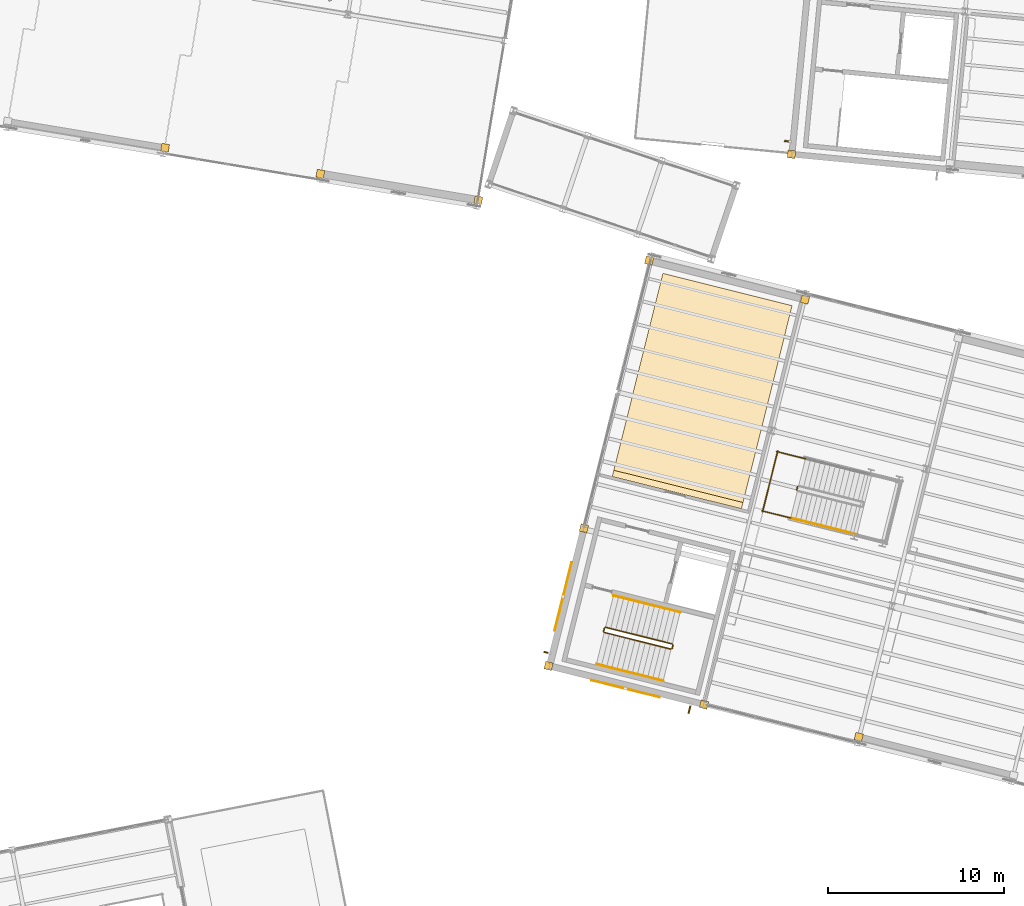
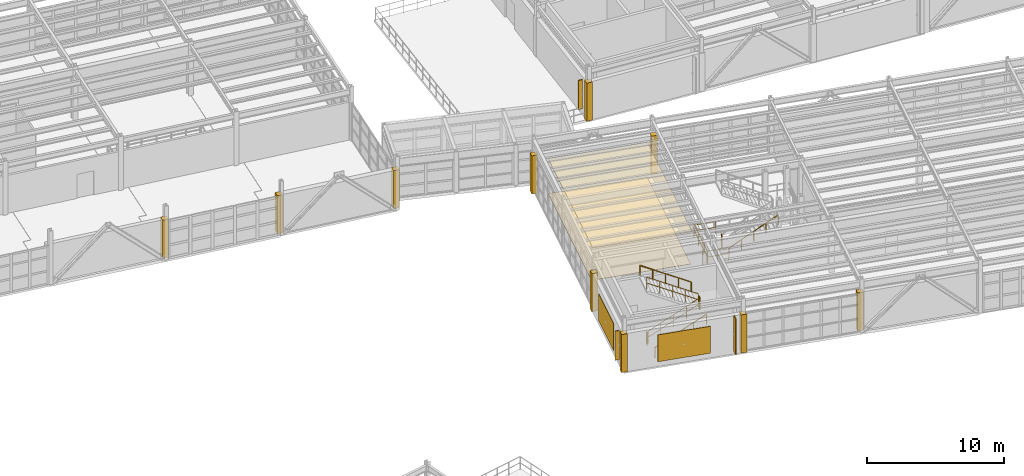
# One storey, part 97 of 102: 14 coverings, 11 railings, 3 shading devices.
"""IFC4 building model written with IfcOpenShell, lengths in metres."""

from ifc_helpers import new_model, si_unit, direction, frame, origin, origin_2d, place, context, subcontext, project, spatial, polyline, rectangle, circle, outline, extrude, material, layer, layer_set, type_object, element, save


model = new_model("IFC4")

# Units and contexts
model_context = context("Model", 3, precision=1e-05, world=origin(), true_north=direction((0.0, 1.0)))
body_context = subcontext(model_context, "Body", "Model", "MODEL_VIEW")
ifc_project = project(units=[si_unit("LENGTHUNIT", "METRE"), si_unit("AREAUNIT", "SQUARE_METRE"), si_unit("VOLUMEUNIT", "CUBIC_METRE"), si_unit("PLANEANGLEUNIT", "RADIAN"), si_unit("MASSUNIT", "GRAM", prefix="KILO")], contexts=[model_context])

# Site, building, storey
site_placement = place(None, origin())
site = spatial("IfcSite", under=ifc_project, at=site_placement, CompositionType="ELEMENT")
building_placement = place(site_placement, origin())
building = spatial("IfcBuilding", under=site, at=building_placement, Name="Vireo Bluff Cable Station", CompositionType="ELEMENT")
storey_placement = place(building_placement, frame((0.0, 0.0, 9.60009765625)))
storey = spatial("IfcBuildingStorey", under=building, at=storey_placement, Name="L02", CompositionType="ELEMENT", Elevation=9.60009765625)

# Coverings
ifc_material_1 = material(Name="Perforated Acoustic Metal Ceiling")
ifc_layer_1 = layer(ifc_material_1, 0.034912109375, Name="Perforated Acoustic Metal Ceiling")
ifc_layer_set_1 = layer_set([ifc_layer_1], Name="Perforated Acoustic Metal Ceiling")
covering_type_1 = type_object("IfcCoveringType", Name="CEILING-ACOUSTIC-35", PredefinedType="CEILING", material=ifc_layer_set_1)
covering_1_placement = place(storey_placement, frame((0.0, 0.0, 3.119873046875)))
element("IfcCovering", 1, at=covering_1_placement, inside=storey, type_object=covering_type_1, Name="V1 L02 First Aid and Mountain Rescue Station acoustic ceiling", PredefinedType="CEILING", context=body_context, shape_type="SweptSolid", body=[
    extrude(outline(polyline([(57.55419921875, 48.74169921875), (64.8798828125, 46.915283203125), (67.7509765625, 58.43017578125), (60.42529296875, 60.256591796875), (57.55419921875, 48.74169921875)])), origin(), (0.0, 0.0, 1.0), 0.034912109375),
])
ifc_material_2 = material(Name="Standing-Seam Titanium-Zinc Cladding")
ifc_layer_2 = layer(ifc_material_2, 0.0400390625, Name="Standing-Seam Titanium-Zinc Cladding")
ifc_layer_set_2 = layer_set([ifc_layer_2], Name="Standing-Seam Titanium-Zinc Cladding")
covering_type_2 = type_object("IfcCoveringType", Name="CLADDING-ZINC-40", PredefinedType="CLADDING", material=ifc_layer_set_2)
covering_2_placement = place(storey_placement, frame((54.771240234375, 41.94091796875, 0.449951171875), z_axis=(0.0, 0.0, 1.0), x_axis=(0.241921938225, 0.970295715648, 0.0)))
element("IfcCovering", 2, at=covering_2_placement, inside=storey, type_object=covering_type_2, Name="V1 L02 ribbed zinc cladding panel 6", PredefinedType="CLADDING", context=body_context, shape_type="SweptSolid", body=[
    extrude(rectangle(XDim=4.0, YDim=0.0400390625, at=origin_2d()), origin(), (0.0, 0.0, 1.0), 2.39990234375),
])
ifc_layer_3 = layer(ifc_material_2, 0.050048828125, Name="Standing-Seam Titanium-Zinc Cladding")
ifc_layer_set_3 = layer_set([ifc_layer_3], Name="Standing-Seam Titanium-Zinc Cladding")
covering_type_3 = type_object("IfcCoveringType", Name="CLADDING-ZINC-50", PredefinedType="CLADDING", material=ifc_layer_set_3)
covering_3_placement = place(storey_placement, frame((58.303466796875, 36.7158203125, 0.449951171875), z_axis=(0.0, 0.0, 1.0), x_axis=(-0.970295735236, 0.241921859664, 0.0)))
element("IfcCovering", 3, at=covering_3_placement, inside=storey, type_object=covering_type_3, Name="V1 L02 ribbed zinc cladding panel 5", PredefinedType="CLADDING", context=body_context, shape_type="SweptSolid", body=[
    extrude(rectangle(XDim=4.0, YDim=0.050048828125, at=origin_2d()), origin(), (0.0, 0.0, 1.0), 2.39990234375),
])
ifc_material_3 = material(Name="Precast concrete f'c 45 MPa", Category="concrete")
ifc_layer_4 = layer(ifc_material_3, 0.0400390625, Name="Precast concrete f'c 45 MPa")
ifc_layer_set_4 = layer_set([ifc_layer_4], Name="Precast concrete f'c 45 MPa")
covering_type_4 = type_object("IfcCoveringType", Name="COL-CLOSURE-WRAP", PredefinedType="CLADDING", material=ifc_layer_set_4)
for number, where, z_axis, x_axis, name in (
    (4, (71.524658203125, 33.98095703125, 0.0), (0.0, 0.0, 1.0), (0.970295726276, -0.2419218956, 0.0), "V1 L02 column pocket closure"),
    (5, (62.75537109375, 35.817138671875, 0.0), (0.0, 0.0, 1.0), (0.970295726276, -0.2419218956, 0.0), "V1 L02 column pocket closure"),
    (6, (53.950439453125, 38.012451171875, 0.0), (0.0, 0.0, 1.0), (0.970295726276, -0.2419218956, 0.0), "V1 L02 column pocket closure"),
    (7, (55.946533203125, 45.806884765625, 0.0), (0.0, 0.0, 1.0), (0.970295726276, -0.2419218956, 0.0), "V1 L02 column pocket closure"),
    (8, (59.650146484375, 60.9755859375, 0.0), (0.0, 0.0, 1.0), (0.970295726276, -0.2419218956, 0.0), "V1 L02 column pocket closure"),
    (9, (68.477294921875, 58.774658203125, 0.0), (0.0, 0.0, 1.0), (0.970295726276, -0.2419218956, 0.0), "V1 L02 column pocket closure"),
    (10, (67.714599609375, 67.006103515625, 0.0), (0.0, 0.0, 1.0), (0.995396198367, -0.09584575252, 0.0), "V3 L02 column pocket closure"),
    (11, (49.960205078125, 64.404541015625, 0.0), (0.0, 0.0, 1.0), (0.986285601537, -0.165047605861, 0.0), "V4 L02 column pocket closure"),
    (12, (41.013671875, 65.90185546875, 0.0), (0.0, 0.0, 1.0), (0.986285601537, -0.165047605861, 0.0), "V4 L02 column pocket closure"),
    (13, (32.208984375, 67.375244140625, 0.0), (0.0, 0.0, 1.0), (0.986285601537, -0.165047605861, 0.0), "V4 L02 column pocket closure"),
):
    element("IfcCovering", number, at=place(storey_placement, frame(where, z_axis=z_axis, x_axis=x_axis)), inside=storey, type_object=covering_type_4, Name=name, PredefinedType="CLADDING", context=body_context, shape_type="SweptSolid", body=[
        extrude(rectangle(XDim=0.43994140625, YDim=0.43994140625, at=origin_2d()), origin(), (0.0, 0.0, 1.0), 3.39990234375),
    ])
ifc_material_4 = material(Name="Polished Terrazzo Flooring")
ifc_layer_5 = layer(ifc_material_4, 0.030029296875, Name="Polished Terrazzo Flooring")
ifc_layer_set_5 = layer_set([ifc_layer_5], Name="Polished Terrazzo Flooring")
covering_type_5 = type_object("IfcCoveringType", Name="FLOORING-TERRAZZO-30", PredefinedType="FLOORING", material=ifc_layer_set_5)
covering_4_placement = place(storey_placement, origin())
element("IfcCovering", 14, at=covering_4_placement, inside=storey, type_object=covering_type_5, Name="V1 L02 First Aid and Mountain Rescue Station terrazzo finish", PredefinedType="FLOORING", context=body_context, shape_type="SweptSolid", body=[
    extrude(outline(polyline([(57.64306640625, 49.098388671875), (64.968994140625, 47.271728515625), (67.7509765625, 58.43017578125), (60.42529296875, 60.256591796875), (57.64306640625, 49.098388671875)])), origin(), (0.0, 0.0, 1.0), 0.02978515625),
])

# Shading devices
ifc_material_5 = material(Name="Extruded Terracotta Solar Fin", Category="masonry")
shading_device_type_1 = type_object("IfcShadingDeviceType", Name="SOLARFIN-320X2600", PredefinedType="SHUTTER", material=ifc_material_5)
for number, where, z_axis, x_axis, name in (
    (15, (53.835693359375, 38.767578125, 0.5498046875), (0.0, 0.0, 1.0), (0.241921938225, 0.970295715648, 0.0), "V1 L02 solar brise-soleil fin 6"),
    (16, (67.47802734375, 67.74560546875, 0.5498046875), (0.0, 0.0, 1.0), (0.095845746196, 0.995396198976, 0.0), "V3 L02 solar brise-soleil fin 24"),
):
    element("IfcShadingDevice", number, at=place(storey_placement, frame(where, z_axis=z_axis, x_axis=x_axis)), inside=storey, type_object=shading_device_type_1, Name=name, PredefinedType="SHUTTER", context=body_context, shape_type="SweptSolid", body=[
        extrude(rectangle(XDim=0.080078125, YDim=0.320068359375, at=origin_2d()), origin(), (0.0, 0.0, 1.0), 2.60009765625),
    ])
shading_device_type_2 = type_object("IfcShadingDeviceType", Name="SOLARFIN-520X3200", PredefinedType="SHUTTER", material=ifc_material_5)
shading_device_placement = place(storey_placement, frame((61.940673828125, 35.566650390625, 0.25), z_axis=(0.0, 0.0, 1.0), x_axis=(-0.970295735236, 0.241921859664, 0.0)))
element("IfcShadingDevice", 17, at=shading_device_placement, inside=storey, type_object=shading_device_type_2, Name="V1 L02 solar brise-soleil fin 5", PredefinedType="SHUTTER", context=body_context, shape_type="SweptSolid", body=[
    extrude(rectangle(XDim=0.080078125, YDim=0.52001953125, at=origin_2d()), origin(), (0.0, 0.0, 1.0), 3.199951171875),
])

# Railings
ifc_material_6 = material(Name="Stainless Steel 316", Category="steel")
railing_type_1 = type_object("IfcRailingType", Name="STAIR-GUARD-1100", PredefinedType="GUARDRAIL", material=ifc_material_6)
railing_1_placement = place(storey_placement, frame((57.103271484375, 39.90576171875, 0.17138671875)))
element("IfcRailing", 18, at=railing_1_placement, inside=storey, type_object=railing_type_1, Name="L02 ST-02 stair guard 1", PredefinedType="GUARDRAIL", context=body_context, shape_type="SweptSolid", body=[
    extrude(circle(Radius=0.02392578125, at=origin_2d()), frame((0.0, 0.0, 1.076171875), z_axis=(0.842464863979, -0.210018337704, 0.496130276026), x_axis=(0.241887473922, 0.970304307916, 0.0)), (0.0, 0.0, 1.0), 4.49169921875),
    extrude(circle(Radius=0.02392578125, at=origin_2d()), frame((0.0, 0.0, 0.550048828125), z_axis=(0.842464863979, -0.210018337704, 0.496130276026), x_axis=(0.241887473922, 0.970304307916, 0.0)), (0.0, 0.0, 1.0), 4.49169921875),
    extrude(circle(Radius=0.02099609375, at=origin_2d()), origin(), (0.0, 0.0, 1.0), 1.052001953125),
    extrude(circle(Radius=0.02099609375, at=origin_2d()), frame((0.946044921875, -0.23583984375, 0.55712890625)), (0.0, 0.0, 1.0), 1.052001953125),
    extrude(circle(Radius=0.02099609375, at=origin_2d()), frame((1.89208984375, -0.4716796875, 1.1142578125)), (0.0, 0.0, 1.0), 1.052001953125),
    extrude(circle(Radius=0.02099609375, at=origin_2d()), frame((2.838134765625, -0.70751953125, 1.67138671875)), (0.0, 0.0, 1.0), 1.052001953125),
    extrude(circle(Radius=0.02099609375, at=origin_2d()), frame((3.7841796875, -0.943359375, 2.228515625)), (0.0, 0.0, 1.0), 1.052001953125),
])
railing_2_placement = place(storey_placement, frame((60.947998046875, 38.998779296875, 2.39990234375)))
element("IfcRailing", 19, at=railing_2_placement, inside=storey, type_object=railing_type_1, Name="L02 ST-02 stair guard 2", PredefinedType="GUARDRAIL", context=body_context, shape_type="SweptSolid", body=[
    extrude(circle(Radius=0.02392578125, at=origin_2d()), frame((0.0, 0.0, 1.076171875), z_axis=(0.241673946692, 0.970357513234, 0.0), x_axis=(-0.970357513234, 0.241673946692, 0.0)), (0.0, 0.0, 1.0), 0.199951171875),
    extrude(circle(Radius=0.02392578125, at=origin_2d()), frame((0.0, 0.0, 0.550048828125), z_axis=(0.241673946692, 0.970357513234, 0.0), x_axis=(-0.970357513234, 0.241673946692, 0.0)), (0.0, 0.0, 1.0), 0.199951171875),
    extrude(circle(Radius=0.02099609375, at=origin_2d()), origin(), (0.0, 0.0, 1.0), 1.052001953125),
    extrude(circle(Radius=0.02099609375, at=origin_2d()), frame((0.04833984375, 0.194091796875, 0.0)), (0.0, 0.0, 1.0), 1.052001953125),
])
railing_3_placement = place(storey_placement, frame((60.9599609375, 39.25341796875, 2.5712890625)))
element("IfcRailing", 20, at=railing_3_placement, inside=storey, type_object=railing_type_1, Name="L02 ST-02 stair guard 3", PredefinedType="GUARDRAIL", context=body_context, shape_type="SweptSolid", body=[
    extrude(circle(Radius=0.02392578125, at=origin_2d()), frame((0.0, 0.0, 1.076171875), z_axis=(-0.842455246132, 0.210070292019, 0.496124612044), x_axis=(-0.241946410147, -0.970289613784, 0.0)), (0.0, 0.0, 1.0), 4.491943359375),
    extrude(circle(Radius=0.02392578125, at=origin_2d()), frame((0.0, 0.0, 0.550048828125), z_axis=(-0.842455246132, 0.210070292019, 0.496124612044), x_axis=(-0.241946410147, -0.970289613784, 0.0)), (0.0, 0.0, 1.0), 4.491943359375),
    extrude(circle(Radius=0.02099609375, at=origin_2d()), origin(), (0.0, 0.0, 1.0), 1.052001953125),
    extrude(circle(Radius=0.02099609375, at=origin_2d()), frame((-0.946044921875, 0.23583984375, 0.55712890625)), (0.0, 0.0, 1.0), 1.052001953125),
    extrude(circle(Radius=0.02099609375, at=origin_2d()), frame((-1.89208984375, 0.4716796875, 1.1142578125)), (0.0, 0.0, 1.0), 1.052001953125),
    extrude(circle(Radius=0.02099609375, at=origin_2d()), frame((-2.838134765625, 0.707763671875, 1.67138671875)), (0.0, 0.0, 1.0), 1.052001953125),
    extrude(circle(Radius=0.02099609375, at=origin_2d()), frame((-3.7841796875, 0.943603515625, 2.228515625)), (0.0, 0.0, 1.0), 1.052001953125),
])
for number, where, name in (
    (21, (57.06689453125, 39.966552734375, 0.0), "L02 ST-02 stair guard 4"),
    (22, (68.01220703125, 47.98681640625, 0.0), "L02 ST-10 stair guard 7"),
):
    element("IfcRailing", number, at=place(storey_placement, frame(where)), inside=storey, type_object=railing_type_1, Name=name, PredefinedType="GUARDRAIL", context=body_context, shape_type="SweptSolid", body=[
        extrude(circle(Radius=0.02392578125, at=origin_2d()), frame((0.0, 0.0, 1.076171875), z_axis=(0.241673946692, 0.970357513234, 0.0), x_axis=(-0.970357513234, 0.241673946692, 0.0)), (0.0, 0.0, 1.0), 0.199951171875),
        extrude(circle(Radius=0.02392578125, at=origin_2d()), frame((0.0, 0.0, 0.550048828125), z_axis=(0.241673946692, 0.970357513234, 0.0), x_axis=(-0.970357513234, 0.241673946692, 0.0)), (0.0, 0.0, 1.0), 0.199951171875),
        extrude(circle(Radius=0.02099609375, at=origin_2d()), origin(), (0.0, 0.0, 1.0), 1.052001953125),
        extrude(circle(Radius=0.02099609375, at=origin_2d()), frame((0.04833984375, 0.194091796875, 0.0)), (0.0, 0.0, 1.0), 1.052001953125),
    ])
for number, where, name in (
    (23, (66.036376953125, 46.799560546875, 0.0), "L02 ST-10 stair guard 8"),
    (24, (66.873291015625, 50.15673828125, 0.0), "L02 ST-10 stair guard 9"),
):
    element("IfcRailing", number, at=place(storey_placement, frame(where)), inside=storey, type_object=railing_type_1, Name=name, PredefinedType="GUARDRAIL", context=body_context, shape_type="SweptSolid", body=[
        extrude(circle(Radius=0.02392578125, at=origin_2d()), frame((0.0, 0.0, 1.076171875), z_axis=(0.970287643911, -0.241954309887, 0.0), x_axis=(0.241954309887, 0.970287643911, 0.0)), (0.0, 0.0, 1.0), 1.679931640625),
        extrude(circle(Radius=0.02392578125, at=origin_2d()), frame((0.0, 0.0, 0.550048828125), z_axis=(0.970287643911, -0.241954309887, 0.0), x_axis=(0.241954309887, 0.970287643911, 0.0)), (0.0, 0.0, 1.0), 1.679931640625),
        extrude(circle(Radius=0.02099609375, at=origin_2d()), origin(), (0.0, 0.0, 1.0), 1.052001953125),
        extrude(circle(Radius=0.02099609375, at=origin_2d()), frame((0.81494140625, -0.203125, 0.0)), (0.0, 0.0, 1.0), 1.052001953125),
        extrude(circle(Radius=0.02099609375, at=origin_2d()), frame((1.630126953125, -0.406494140625, 0.0)), (0.0, 0.0, 1.0), 1.052001953125),
    ])
railing_4_placement = place(storey_placement, frame((66.07275390625, 46.739013671875, 0.0)))
element("IfcRailing", 25, at=railing_4_placement, inside=storey, type_object=railing_type_1, Name="L02 ST-10 stair guard 10", PredefinedType="GUARDRAIL", context=body_context, shape_type="SweptSolid", body=[
    extrude(circle(Radius=0.02392578125, at=origin_2d()), frame((0.0, 0.0, 1.076171875), z_axis=(0.241954658005, 0.970287557103, 0.0), x_axis=(-0.970287557103, 0.241954658005, 0.0)), (0.0, 0.0, 1.0), 3.559814453125),
    extrude(circle(Radius=0.02392578125, at=origin_2d()), frame((0.0, 0.0, 0.550048828125), z_axis=(0.241954658005, 0.970287557103, 0.0), x_axis=(-0.970287557103, 0.241954658005, 0.0)), (0.0, 0.0, 1.0), 3.559814453125),
    extrude(circle(Radius=0.02099609375, at=origin_2d()), origin(), (0.0, 0.0, 1.0), 1.052001953125),
    extrude(circle(Radius=0.02099609375, at=origin_2d()), frame((0.287109375, 1.1513671875, 0.0)), (0.0, 0.0, 1.0), 1.052001953125),
    extrude(circle(Radius=0.02099609375, at=origin_2d()), frame((0.57421875, 2.302734375, 0.0)), (0.0, 0.0, 1.0), 1.052001953125),
    extrude(circle(Radius=0.02099609375, at=origin_2d()), frame((0.861328125, 3.4541015625, 0.0)), (0.0, 0.0, 1.0), 1.052001953125),
])
railing_type_2 = type_object("IfcRailingType", Name="STAIR-HANDRAIL-900", PredefinedType="HANDRAIL", material=ifc_material_6)
railing_5_placement = place(storey_placement, frame((56.65576171875, 38.11083984375, 0.17138671875)))
element("IfcRailing", 26, at=railing_5_placement, inside=storey, type_object=railing_type_2, Name="L02 ST-02 stair handrail 1", PredefinedType="HANDRAIL", context=body_context, shape_type="SweptSolid", body=[
    extrude(circle(Radius=0.02392578125, at=origin_2d()), frame((0.0, 0.0, 0.8759765625), z_axis=(0.842455246132, -0.210070292019, 0.496124612044), x_axis=(0.241946410147, 0.970289613784, 0.0)), (0.0, 0.0, 1.0), 4.491943359375),
    extrude(circle(Radius=0.02099609375, at=origin_2d()), origin(), (0.0, 0.0, 1.0), 0.851806640625),
    extrude(circle(Radius=0.02099609375, at=origin_2d()), frame((0.946044921875, -0.23583984375, 0.55712890625)), (0.0, 0.0, 1.0), 0.851806640625),
    extrude(circle(Radius=0.02099609375, at=origin_2d()), frame((1.89208984375, -0.4716796875, 1.1142578125)), (0.0, 0.0, 1.0), 0.851806640625),
    extrude(circle(Radius=0.02099609375, at=origin_2d()), frame((2.838134765625, -0.707763671875, 1.67138671875)), (0.0, 0.0, 1.0), 0.851806640625),
    extrude(circle(Radius=0.02099609375, at=origin_2d()), frame((3.7841796875, -0.943603515625, 2.228515625)), (0.0, 0.0, 1.0), 0.851806640625),
])
railing_6_placement = place(storey_placement, frame((61.407470703125, 41.048583984375, 2.5712890625)))
element("IfcRailing", 27, at=railing_6_placement, inside=storey, type_object=railing_type_2, Name="L02 ST-02 stair handrail 2", PredefinedType="HANDRAIL", context=body_context, shape_type="SweptSolid", body=[
    extrude(circle(Radius=0.02392578125, at=origin_2d()), frame((0.0, 0.0, 0.8759765625), z_axis=(-0.842464863979, 0.210018337704, 0.496130276026), x_axis=(-0.241887473922, -0.970304307916, 0.0)), (0.0, 0.0, 1.0), 4.49169921875),
    extrude(circle(Radius=0.02099609375, at=origin_2d()), origin(), (0.0, 0.0, 1.0), 0.851806640625),
    extrude(circle(Radius=0.02099609375, at=origin_2d()), frame((-0.946044921875, 0.23583984375, 0.55712890625)), (0.0, 0.0, 1.0), 0.851806640625),
    extrude(circle(Radius=0.02099609375, at=origin_2d()), frame((-1.89208984375, 0.4716796875, 1.1142578125)), (0.0, 0.0, 1.0), 0.851806640625),
    extrude(circle(Radius=0.02099609375, at=origin_2d()), frame((-2.838134765625, 0.70751953125, 1.67138671875)), (0.0, 0.0, 1.0), 0.851806640625),
    extrude(circle(Radius=0.02099609375, at=origin_2d()), frame((-3.7841796875, 0.943359375, 2.228515625)), (0.0, 0.0, 1.0), 0.851806640625),
])
railing_7_placement = place(storey_placement, frame((67.66650390625, 46.39306640625, 0.17138671875)))
element("IfcRailing", 28, at=railing_7_placement, inside=storey, type_object=railing_type_2, Name="L02 ST-10 stair handrail 1", PredefinedType="HANDRAIL", context=body_context, shape_type="SweptSolid", body=[
    extrude(circle(Radius=0.02392578125, at=origin_2d()), frame((0.0, 0.0, 0.8759765625), z_axis=(0.835270426229, -0.208274064766, 0.508866612202), x_axis=(0.241941316319, 0.97029088394, 0.0)), (0.0, 0.0, 1.0), 4.37939453125),
    extrude(circle(Radius=0.02099609375, at=origin_2d()), origin(), (0.0, 0.0, 1.0), 0.851806640625),
    extrude(circle(Radius=0.02099609375, at=origin_2d()), frame((0.91455078125, -0.22802734375, 0.55712890625)), (0.0, 0.0, 1.0), 0.851806640625),
    extrude(circle(Radius=0.02099609375, at=origin_2d()), frame((1.8291015625, -0.4560546875, 1.1142578125)), (0.0, 0.0, 1.0), 0.851806640625),
    extrude(circle(Radius=0.02099609375, at=origin_2d()), frame((2.743408203125, -0.68408203125, 1.67138671875)), (0.0, 0.0, 1.0), 0.851806640625),
    extrude(circle(Radius=0.02099609375, at=origin_2d()), frame((3.657958984375, -0.912109375, 2.228515625)), (0.0, 0.0, 1.0), 0.851806640625),
])

save(model, "model.ifc")
